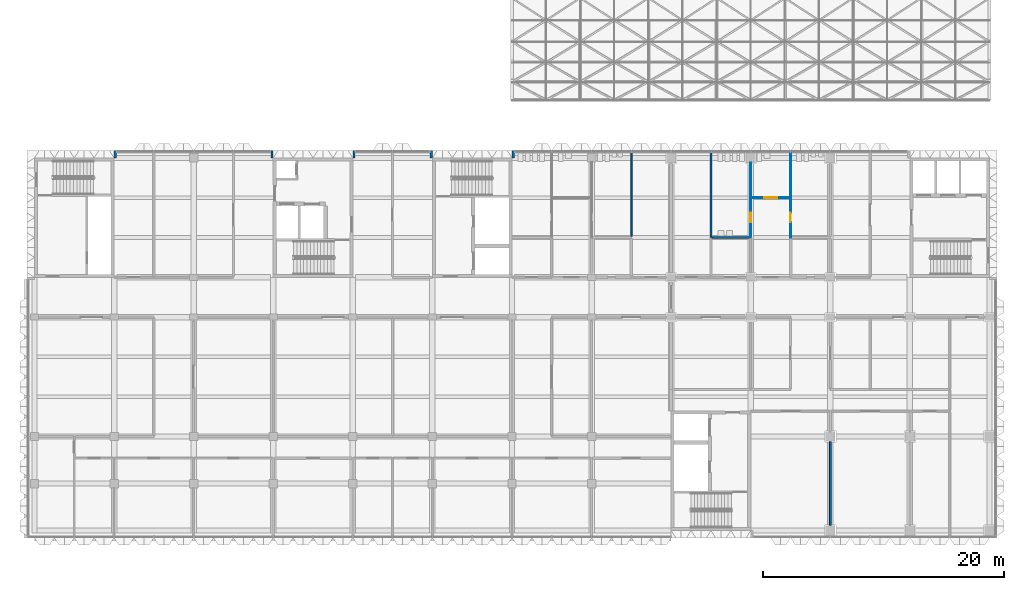
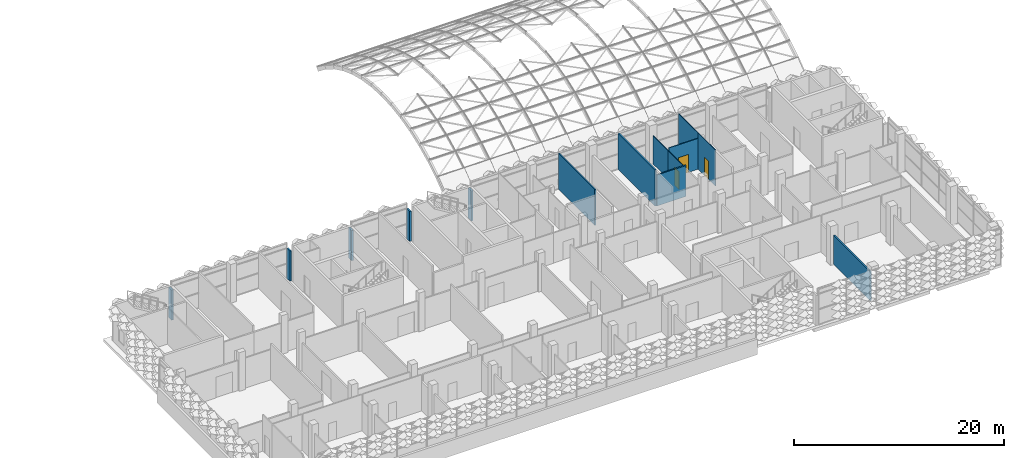
# One storey, part 29 of 85: 14 walls, 3 doors, 3 openings.
"""IFC4 building model written with IfcOpenShell, lengths in metres."""

from ifc_helpers import new_model, si_unit, direction, frame, frame_2d, origin, place, context, subcontext, project, spatial, rectangle, extrude, material, layer, layer_set, type_object, element, fill, save


model = new_model("IFC4")

# Units and contexts
model_context = context("Model", 3, precision=1e-05, world=origin(), true_north=direction((0.0, 1.0)))
body_context = subcontext(model_context, "Body", "Model", "MODEL_VIEW")
ifc_project = project(units=[si_unit("LENGTHUNIT", "METRE"), si_unit("AREAUNIT", "SQUARE_METRE"), si_unit("VOLUMEUNIT", "CUBIC_METRE"), si_unit("PLANEANGLEUNIT", "RADIAN"), si_unit("MASSUNIT", "GRAM", prefix="KILO")], contexts=[model_context])

# Site, building, storey
site_placement = place(None, origin())
site = spatial("IfcSite", under=ifc_project, at=site_placement, CompositionType="ELEMENT")
building_placement = place(site_placement, origin())
building = spatial("IfcBuilding", under=site, at=building_placement, Name="Lantern Court Research Institute", CompositionType="ELEMENT")
storey_placement = place(building_placement, frame((0.0, 0.0, 18.89990234375)))
storey = spatial("IfcBuildingStorey", under=building, at=storey_placement, Name="L04", CompositionType="ELEMENT", Elevation=18.89990234375)

# Walls
ifc_material_1 = material(Name="Fire-rated gypsum board partition, mineral wool filled")
ifc_layer_1 = layer(ifc_material_1, 0.125)
ifc_layer_set_1 = layer_set([ifc_layer_1], Name="Fire-rated gypsum board partition, mineral wool filled")
wall_type_1 = type_object("IfcWallType", Name="Corridor partition 125 EI 60", PredefinedType="PARTITIONING", material=ifc_layer_set_1)
wall_1_placement = place(storey_placement, frame((49.5, 16.60009765625, 0.0), z_axis=(0.0, 0.0, 1.0), x_axis=(0.0, 1.0, 0.0)))
element("IfcWall", 1, at=wall_1_placement, inside=storey, type_object=wall_type_1, Name="Corridor partition 125 EI 60", PredefinedType="PARTITIONING", context=body_context, shape_type="SweptSolid", body=[
    extrude(rectangle(XDim=6.949951171875, YDim=0.125, at=frame_2d((3.47509765625, 0.0))), origin(), (0.0, 0.0, 1.0), 4.2001953125),
])
ifc_material_2 = material(Name="Fire-rated gypsum board partition, mineral wool filled")
ifc_layer_2 = layer(ifc_material_2, 0.14990234375)
ifc_layer_set_2 = layer_set([ifc_layer_2], Name="Fire-rated gypsum board partition, mineral wool filled")
wall_type_2 = type_object("IfcWallType", Name="Laboratory partition 150 EI 60", PredefinedType="PARTITIONING", material=ifc_layer_set_2)
wall_2_placement = place(storey_placement, frame((56.10009765625, 16.5, 0.0), z_axis=(0.0, 0.0, 1.0), x_axis=(0.0, 1.0, 0.0)))
element("IfcWall", 2, at=wall_2_placement, inside=storey, type_object=wall_type_2, Name="Laboratory partition 150 EI 60", PredefinedType="PARTITIONING", context=body_context, shape_type="SweptSolid", body=[
    extrude(rectangle(XDim=7.050048828125, YDim=0.14990234375, at=frame_2d((3.52490234375, 0.0))), origin(), (0.0, 0.0, 1.0), 4.2001953125),
])
wall_3_placement = place(storey_placement, frame((59.39990234375, 16.5, 0.0), z_axis=(0.0, 0.0, 1.0), x_axis=(-1.0, 0.0, 0.0)))
element("IfcWall", 3, at=wall_3_placement, inside=storey, type_object=wall_type_2, Name="Laboratory partition 150 EI 60", PredefinedType="PARTITIONING", context=body_context, shape_type="SweptSolid", body=[
    extrude(rectangle(XDim=3.224853515625, YDim=0.14990234375, at=frame_2d((1.6123046875, 0.0))), origin(), (0.0, 0.0, 1.0), 3.60009765625),
])
wall_4_placement = place(storey_placement, frame((66.0, -7.39990234375, 0.0), z_axis=(0.0, 0.0, 1.0), x_axis=(0.0, 1.0, 0.0)))
element("IfcWall", 4, at=wall_4_placement, inside=storey, type_object=wall_type_2, Name="Laboratory partition 150 EI 60", PredefinedType="PARTITIONING", context=body_context, shape_type="SweptSolid", body=[
    extrude(rectangle(XDim=7.0, YDim=0.14990234375, at=frame_2d((3.5, 0.0))), origin(), (0.0, 0.0, 1.0), 3.400146484375),
])
ifc_material_3 = material(Name="Concrete C40/50", Category="concrete")
ifc_layer_3 = layer(ifc_material_3, 0.199951171875)
ifc_layer_set_3 = layer_set([ifc_layer_3], Name="Concrete C40/50")
wall_type_3 = type_object("IfcWallType", Name="Return wall 200 concrete EI 120 aluminium faced", PredefinedType="STANDARD", material=ifc_layer_set_3)
for number, where, z_axis, x_axis, name in (
    (5, (6.699951171875, 23.10009765625, 0.0), (0.0, 0.0, 1.0), (0.0, 1.0, 0.0), "Core return wall 42"),
    (6, (19.699951171875, 23.10009765625, 0.0), (0.0, 0.0, 1.0), (0.0, 1.0, 0.0), "Core return wall 43"),
    (7, (26.5, 23.10009765625, 0.0), (0.0, 0.0, 1.0), (0.0, 1.0, 0.0), "Core return wall 44"),
    (8, (32.89990234375, 23.10009765625, 0.0), (0.0, 0.0, 1.0), (0.0, 1.0, 0.0), "Core return wall 45"),
    (9, (39.699951171875, 23.10009765625, 0.0), (0.0, 0.0, 1.0), (0.0, 1.0, 0.0), "Core return wall 46"),
):
    element("IfcWall", number, at=place(storey_placement, frame(where, z_axis=z_axis, x_axis=x_axis)), inside=storey, type_object=wall_type_3, Name=name, PredefinedType="STANDARD", context=body_context, shape_type="SweptSolid", body=[
        extrude(rectangle(XDim=0.599853515625, YDim=0.199951171875, at=frame_2d((0.2998046875, 0.0))), origin(), (0.0, 0.0, 1.0), 3.5),
    ])

# Wall, opening, door
ifc_material_4 = material(Name="Gypsum board partition, mineral wool filled")
ifc_layer_4 = layer(ifc_material_4, 0.074951171875)
ifc_layer_set_4 = layer_set([ifc_layer_4], Name="Gypsum board partition, mineral wool filled")
wall_type_4 = type_object("IfcWallType", Name="Wet room partition 75", PredefinedType="PARTITIONING", material=ifc_layer_set_4)
wall_5_placement = place(storey_placement, frame((59.39990234375, 16.574951171875, 0.0), z_axis=(0.0, 0.0, 1.0), x_axis=(0.0, 1.0, 0.0)))
wall_5 = element("IfcWall", 10, at=wall_5_placement, inside=storey, type_object=wall_type_4, Name="Wet room partition 75", PredefinedType="PARTITIONING", context=body_context, shape_type="SweptSolid", body=[
    extrude(rectangle(XDim=3.22509765625, YDim=0.074951171875, at=frame_2d((1.612548828125, 0.0))), origin(), (0.0, 0.0, 1.0), 3.300048828125),
])
opening_1_placement = place(wall_5_placement, frame((1.175048828125, 0.0, 0.0)))
opening_1 = element("IfcOpeningElement", 11, at=opening_1_placement, cuts=wall_5, Name="Opening D5403", PredefinedType="OPENING", context=body_context, shape_type="SweptSolid", body=[
    extrude(rectangle(XDim=0.800048828125, YDim=2.10009765625, at=frame_2d((0.39990234375, 1.050048828125))), frame((0.0, 0.04736328125, 0.0), z_axis=(0.0, -1.0, 0.0), x_axis=(1.0, 0.0, 0.0)), (0.0, 0.0, 1.0), 0.094970703125),
])
ifc_material_5 = material(Name="Solid-core timber door leaf", Category="wood")
ifc_layer_5 = layer(ifc_material_5, 0.0439453125)
ifc_layer_set_5 = layer_set([ifc_layer_5], Name="Solid-core timber door leaf")
door_type_1 = type_object("IfcDoorType", Name="WC door 800 x 2100 single NOT RATED", OperationType="NOTDEFINED", PredefinedType="DOOR", material=ifc_layer_set_5)
door_1_placement = place(opening_1_placement, origin())
door_1 = element("IfcDoor", 12, at=door_1_placement, inside=storey, type_object=door_type_1, Name="Door D5403", OperationType="SINGLE_SWING_LEFT", OverallHeight=2.10009765625, OverallWidth=0.800048828125, PredefinedType="DOOR", context=body_context, shape_type="SweptSolid", body=[
    extrude(rectangle(XDim=0.800048828125, YDim=2.10009765625, at=frame_2d((0.39990234375, 1.050048828125))), frame((0.0, 0.02197265625, 0.0), z_axis=(0.0, -1.0, 0.0), x_axis=(1.0, 0.0, 0.0)), (0.0, 0.0, 1.0), 0.0439453125),
])
fill(opening_1, door_1)

# Wall
wall_6_placement = place(storey_placement, frame((59.39990234375, 19.800048828125, 0.0), z_axis=(0.0, 0.0, 1.0), x_axis=(0.0, 1.0, 0.0)))
element("IfcWall", 13, at=wall_6_placement, inside=storey, type_object=wall_type_4, Name="Wet room partition 75", PredefinedType="PARTITIONING", context=body_context, shape_type="SweptSolid", body=[
    extrude(rectangle(XDim=2.89990234375, YDim=0.074951171875, at=frame_2d((1.449951171875, 0.0))), origin(), (0.0, 0.0, 1.0), 3.300048828125),
])

# Wall, opening, door
wall_7_placement = place(storey_placement, frame((59.4375, 19.800048828125, 0.0), z_axis=(0.0, 0.0, 1.0), x_axis=(1.0, 0.0, 0.0)))
wall_7 = element("IfcWall", 14, at=wall_7_placement, inside=storey, type_object=wall_type_4, Name="Wet room partition 75", PredefinedType="PARTITIONING", context=body_context, shape_type="SweptSolid", body=[
    extrude(rectangle(XDim=3.262451171875, YDim=0.074951171875, at=frame_2d((1.63134765625, 0.0))), origin(), (0.0, 0.0, 1.0), 3.60009765625),
])
opening_2_placement = place(wall_7_placement, frame((1.0625, 0.0, 0.0)))
opening_2 = element("IfcOpeningElement", 15, at=opening_2_placement, cuts=wall_7, Name="Opening D5405", PredefinedType="OPENING", context=body_context, shape_type="SweptSolid", body=[
    extrude(rectangle(XDim=1.10009765625, YDim=2.10009765625, at=frame_2d((0.550048828125, 1.050048828125))), frame((0.0, 0.04736328125, 0.0), z_axis=(0.0, -1.0, 0.0), x_axis=(1.0, 0.0, 0.0)), (0.0, 0.0, 1.0), 0.094970703125),
])
ifc_material_6 = material(Name="Solid-core timber door leaf", Category="wood")
ifc_layer_6 = layer(ifc_material_6, 0.0439453125)
ifc_layer_set_6 = layer_set([ifc_layer_6], Name="Solid-core timber door leaf")
door_type_2 = type_object("IfcDoorType", Name="Accessible WC door 1100 x 2100 single NOT RATED", OperationType="NOTDEFINED", PredefinedType="DOOR", material=ifc_layer_set_6)
door_2_placement = place(opening_2_placement, origin())
door_2 = element("IfcDoor", 16, at=door_2_placement, inside=storey, type_object=door_type_2, Name="Door D5405", OperationType="SINGLE_SWING_RIGHT", OverallHeight=2.10009765625, OverallWidth=1.10009765625, PredefinedType="DOOR", context=body_context, shape_type="SweptSolid", body=[
    extrude(rectangle(XDim=1.10009765625, YDim=2.10009765625, at=frame_2d((0.550048828125, 1.050048828125))), frame((0.0, 0.02197265625, 0.0), z_axis=(0.0, -1.0, 0.0), x_axis=(1.0, 0.0, 0.0)), (0.0, 0.0, 1.0), 0.0439453125),
])
fill(opening_2, door_2)

wall_8_placement = place(storey_placement, frame((62.699951171875, 19.762451171875, 0.0), z_axis=(0.0, 0.0, 1.0), x_axis=(0.0, -1.0, 0.0)))
wall_8 = element("IfcWall", 17, at=wall_8_placement, inside=storey, type_object=wall_type_4, Name="Wet room partition 75", PredefinedType="PARTITIONING", context=body_context, shape_type="SweptSolid", body=[
    extrude(rectangle(XDim=3.262451171875, YDim=0.074951171875, at=frame_2d((1.63134765625, 0.0))), origin(), (0.0, 0.0, 1.0), 4.2001953125),
])
opening_3_placement = place(wall_8_placement, frame((1.21240234375, 0.0, 0.0)))
opening_3 = element("IfcOpeningElement", 18, at=opening_3_placement, cuts=wall_8, Name="Opening D5407", PredefinedType="OPENING", context=body_context, shape_type="SweptSolid", body=[
    extrude(rectangle(XDim=0.800048828125, YDim=2.10009765625, at=frame_2d((0.39990234375, 1.050048828125))), frame((0.0, 0.04736328125, 0.0), z_axis=(0.0, -1.0, 0.0), x_axis=(1.0, 0.0, 0.0)), (0.0, 0.0, 1.0), 0.094970703125),
])
door_3_placement = place(opening_3_placement, origin())
door_3 = element("IfcDoor", 19, at=door_3_placement, inside=storey, type_object=door_type_1, Name="Door D5407", OperationType="SINGLE_SWING_RIGHT", OverallHeight=2.10009765625, OverallWidth=0.800048828125, PredefinedType="DOOR", context=body_context, shape_type="SweptSolid", body=[
    extrude(rectangle(XDim=0.800048828125, YDim=2.10009765625, at=frame_2d((0.39990234375, 1.050048828125))), frame((0.0, 0.02197265625, 0.0), z_axis=(0.0, -1.0, 0.0), x_axis=(1.0, 0.0, 0.0)), (0.0, 0.0, 1.0), 0.0439453125),
])
fill(opening_3, door_3)

# Wall
wall_9_placement = place(storey_placement, frame((62.699951171875, 19.83740234375, 0.0), z_axis=(0.0, 0.0, 1.0), x_axis=(0.0, 1.0, 0.0)))
element("IfcWall", 20, at=wall_9_placement, inside=storey, type_object=wall_type_4, Name="Wet room partition 75", PredefinedType="PARTITIONING", context=body_context, shape_type="SweptSolid", body=[
    extrude(rectangle(XDim=3.712646484375, YDim=0.074951171875, at=frame_2d((1.8564453125, 0.0))), origin(), (0.0, 0.0, 1.0), 4.2001953125),
])

save(model, "model.ifc")
